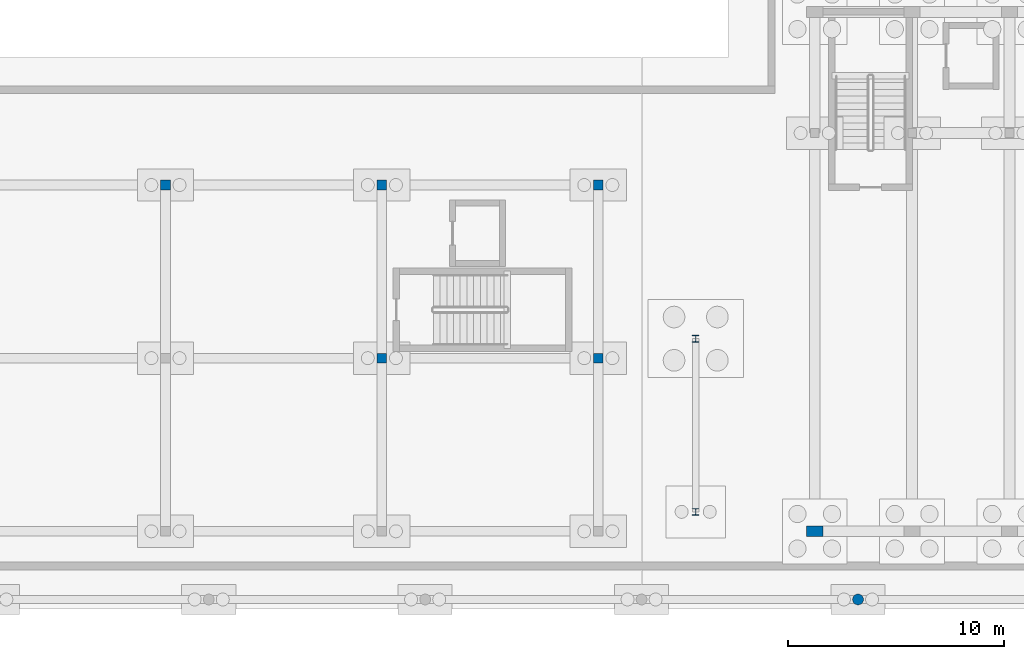
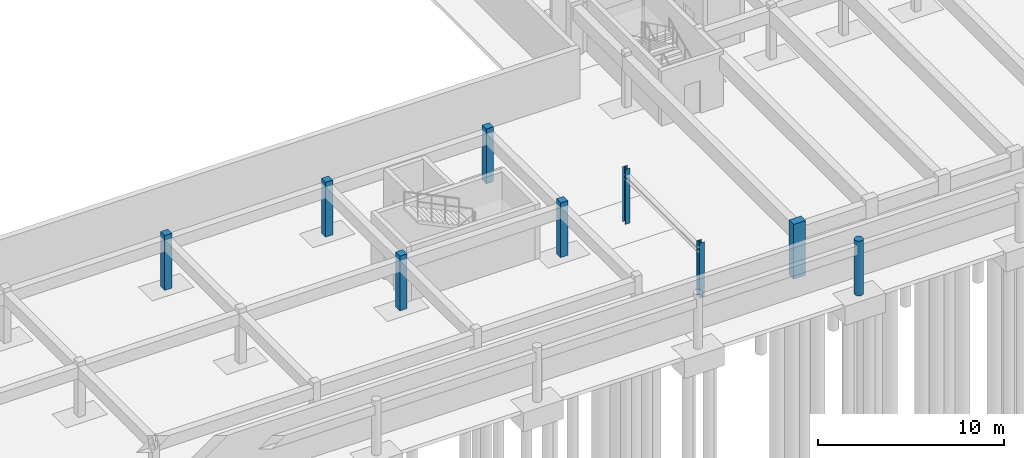
# One storey, part 6 of 32: 9 columns.
"""IFC4 building model written with IfcOpenShell, lengths in metres."""

from ifc_helpers import new_model, si_unit, direction, frame, origin, origin_2d, place, context, subcontext, project, spatial, rectangle, circle, i_section, extrude, material, material_profile, profile_set, type_object, element, save


model = new_model("IFC4")

# Units and contexts
model_context = context("Model", 3, precision=1e-05, world=origin(), true_north=direction((0.0, 1.0)))
body_context = subcontext(model_context, "Body", "Model", "MODEL_VIEW")
ifc_project = project(units=[si_unit("LENGTHUNIT", "METRE"), si_unit("AREAUNIT", "SQUARE_METRE"), si_unit("VOLUMEUNIT", "CUBIC_METRE"), si_unit("PLANEANGLEUNIT", "RADIAN"), si_unit("MASSUNIT", "GRAM", prefix="KILO")], contexts=[model_context])

# Site, building, storey
site_placement = place(None, origin())
site = spatial("IfcSite", under=ifc_project, at=site_placement, CompositionType="ELEMENT")
building_placement = place(site_placement, origin())
building = spatial("IfcBuilding", under=site, at=building_placement, Name="Zimvara Arc Housing Community", CompositionType="ELEMENT")
storey_placement = place(building_placement, frame((0.0, 0.0, -3.60009765625)))
storey = spatial("IfcBuildingStorey", under=building, at=storey_placement, Name="B1", CompositionType="ELEMENT", Elevation=-3.60009765625)

# Columns
ifc_material_1 = material(Name="Concrete C40/50", Category="concrete")
ifc_material_profile_1 = material_profile(ifc_material_1, rectangle(XDim=0.449951171875, YDim=0.449951171875, at=origin_2d()), Name="RC 450x450")
ifc_profile_set_1 = profile_set([ifc_material_profile_1], Name="Concrete C40/50")
column_type_1 = type_object("IfcColumnType", Name="COL-RC-450x450", PredefinedType="COLUMN", material=ifc_profile_set_1)
for number, where, z_axis, x_axis, name in (
    (1, (38.0, 19.60009765625, 0.0), (0.0, 0.0, 1.0), (1.0, 0.0, 0.0), "col:shops:B1:x4:y2"),
    (2, (48.0, 11.60009765625, 0.0), (0.0, 0.0, 1.0), (1.0, 0.0, 0.0), "col:shops:B1:x5:y1"),
    (3, (48.0, 19.60009765625, 0.0), (0.0, 0.0, 1.0), (1.0, 0.0, 0.0), "col:shops:B1:x5:y2"),
    (4, (58.0, 11.60009765625, 0.0), (0.0, 0.0, 1.0), (1.0, 0.0, 0.0), "col:shops:B1:x6:y1"),
    (5, (58.0, 19.60009765625, 0.0), (0.0, 0.0, 1.0), (1.0, 0.0, 0.0), "col:shops:B1:x6:y2"),
):
    element("IfcColumn", number, at=place(storey_placement, frame(where, z_axis=z_axis, x_axis=x_axis)), inside=storey, type_object=column_type_1, Name=name, PredefinedType="COLUMN", context=body_context, shape_type="SweptSolid", body=[
        extrude(rectangle(XDim=0.449951171875, YDim=0.449951171875, at=origin_2d()), origin(), (0.0, 0.0, 1.0), 3.60009765625),
    ])
ifc_material_2 = material(Name="Concrete C40/50", Category="concrete")
ifc_material_profile_2 = material_profile(ifc_material_2, rectangle(XDim=0.5, YDim=0.75, at=origin_2d()), Name="RC 500x750")
ifc_profile_set_2 = profile_set([ifc_material_profile_2], Name="Concrete C40/50")
column_type_2 = type_object("IfcColumnType", Name="COL-RC-500x750", PredefinedType="COLUMN", material=ifc_profile_set_2)
column_1_placement = place(storey_placement, frame((68.0, 3.60009765625, 0.0), z_axis=(0.0, 0.0, 1.0), x_axis=(0.0, 1.0, 0.0)))
element("IfcColumn", 6, at=column_1_placement, inside=storey, type_object=column_type_2, Name="col:hall:B1:x0:y0", PredefinedType="COLUMN", context=body_context, shape_type="SweptSolid", body=[
    extrude(rectangle(XDim=0.5, YDim=0.75, at=origin_2d()), origin(), (0.0, 0.0, 1.0), 3.60009765625),
])
ifc_material_3 = material(Name="Concrete C40/50", Category="concrete")
ifc_material_profile_3 = material_profile(ifc_material_3, circle(Radius=0.25, at=origin_2d()), Name="RC D500")
ifc_profile_set_3 = profile_set([ifc_material_profile_3], Name="Concrete C40/50")
column_type_3 = type_object("IfcColumnType", Name="COL-RC-D500", PredefinedType="COLUMN", material=ifc_profile_set_3)
column_2_placement = place(storey_placement, frame((70.0, 0.449951171875, 0.0), z_axis=(0.0, 0.0, 1.0), x_axis=(1.0, 0.0, 0.0)))
element("IfcColumn", 7, at=column_2_placement, inside=storey, type_object=column_type_3, Name="col:colonnade:B1:7", PredefinedType="COLUMN", context=body_context, shape_type="SweptSolid", body=[
    extrude(circle(Radius=0.25, at=origin_2d()), origin(), (0.0, 0.0, 1.0), 3.60009765625),
])
ifc_material_4 = material(Name="Steel S355", Category="steel")
ifc_material_profile_4 = material_profile(ifc_material_4, i_section(OverallWidth=0.300048828125, OverallDepth=0.31005859375, WebThickness=0.009033203125, FlangeThickness=0.015380859375, FilletRadius=0.027099609375, at=origin_2d()), Name="HEA 320")
ifc_profile_set_4 = profile_set([ifc_material_profile_4], Name="Steel S355")
column_type_4 = type_object("IfcColumnType", Name="COL-ST-HEA320", PredefinedType="COLUMN", material=ifc_profile_set_4)
column_3_placement = place(storey_placement, frame((62.5, 12.5, 0.0), z_axis=(0.0, 0.0, 1.0), x_axis=(1.0, 0.0, 0.0)))
element("IfcColumn", 8, at=column_3_placement, inside=storey, type_object=column_type_4, Name="col:portal:B1:corepad:1", PredefinedType="COLUMN", context=body_context, shape_type="SweptSolid", body=[
    extrude(i_section(OverallWidth=0.300048828125, OverallDepth=0.31005859375, WebThickness=0.009033203125, FlangeThickness=0.015380859375, FilletRadius=0.027099609375, at=origin_2d()), origin(), (0.0, 0.0, 1.0), 3.60009765625),
])
ifc_material_5 = material(Name="Steel S355", Category="steel")
ifc_material_profile_5 = material_profile(ifc_material_5, i_section(OverallWidth=0.300048828125, OverallDepth=0.300048828125, WebThickness=0.010986328125, FlangeThickness=0.01904296875, FilletRadius=0.027099609375, at=origin_2d()), Name="HEB 300")
ifc_profile_set_5 = profile_set([ifc_material_profile_5], Name="Steel S355")
column_type_5 = type_object("IfcColumnType", Name="COL-ST-HEB300", PredefinedType="COLUMN", material=ifc_profile_set_5)
column_4_placement = place(storey_placement, frame((62.5, 4.5, 0.0), z_axis=(0.0, 0.0, 1.0), x_axis=(1.0, 0.0, 0.0)))
element("IfcColumn", 9, at=column_4_placement, inside=storey, type_object=column_type_5, Name="col:portal:B1:portal:w", PredefinedType="COLUMN", context=body_context, shape_type="SweptSolid", body=[
    extrude(i_section(OverallWidth=0.300048828125, OverallDepth=0.300048828125, WebThickness=0.010986328125, FlangeThickness=0.01904296875, FilletRadius=0.027099609375, at=origin_2d()), origin(), (0.0, 0.0, 1.0), 3.60009765625),
])

save(model, "model.ifc")
